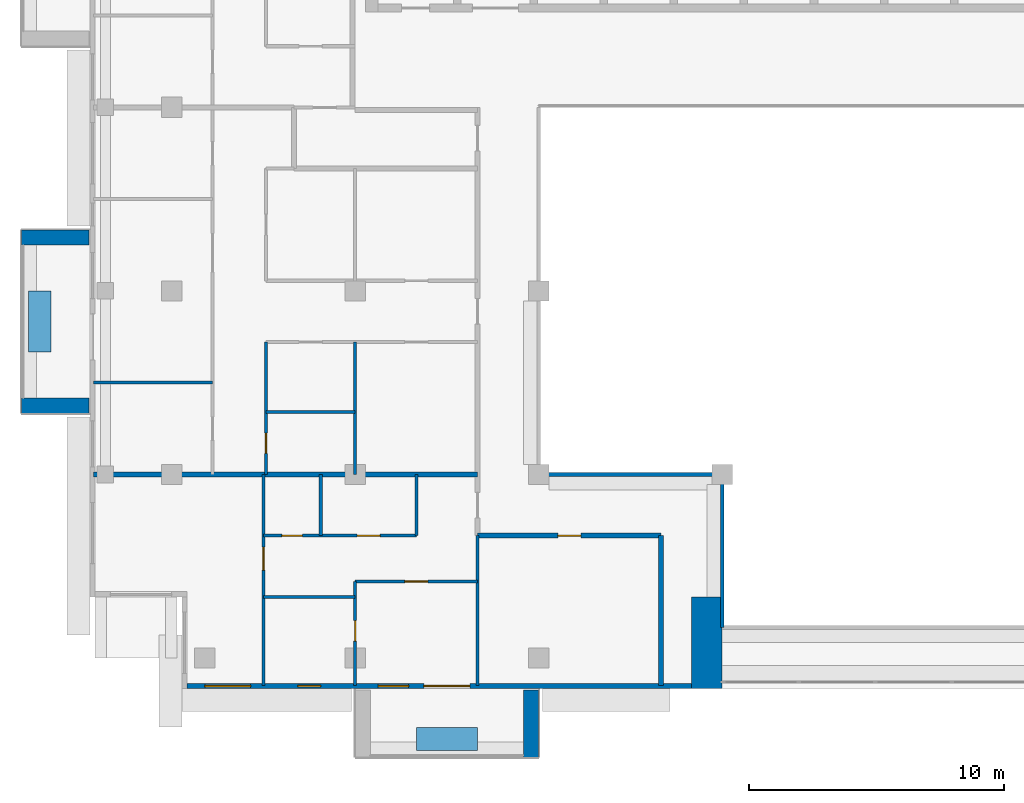
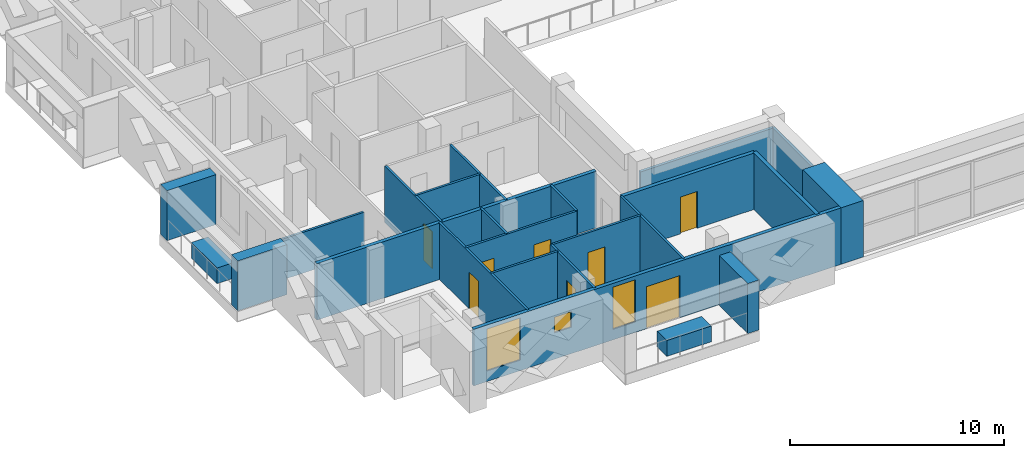
# One storey, part 6 of 19: 24 walls, 8 doors, 3 windows, 11 openings.
"""IFC4 building model written with IfcOpenShell, lengths in metres."""

from ifc_helpers import new_model, si_unit, direction, frame, frame_2d, origin, place, context, subcontext, project, spatial, rectangle, extrude, material, layer, layer_set, type_object, element, fill, save


model = new_model("IFC4")

# Units and contexts
model_context = context("Model", 3, precision=1e-05, world=origin(), true_north=direction((0.0, 1.0)))
body_context = subcontext(model_context, "Body", "Model", "MODEL_VIEW")
ifc_project = project(units=[si_unit("LENGTHUNIT", "METRE"), si_unit("AREAUNIT", "SQUARE_METRE"), si_unit("VOLUMEUNIT", "CUBIC_METRE"), si_unit("PLANEANGLEUNIT", "RADIAN"), si_unit("MASSUNIT", "GRAM", prefix="KILO")], contexts=[model_context])

# Site, building, storey
site_placement = place(None, origin())
site = spatial("IfcSite", under=ifc_project, at=site_placement, CompositionType="ELEMENT")
building_placement = place(site_placement, origin())
building = spatial("IfcBuilding", under=site, at=building_placement, Name="Saffron Iwan Residences", CompositionType="ELEMENT")
storey_placement = place(building_placement, frame((0.0, 0.0, 243.0)))
storey = spatial("IfcBuildingStorey", under=building, at=storey_placement, Name="L65", CompositionType="ELEMENT", Elevation=243.0)

# Walls
ifc_material_1 = material(Name="Fire-rated glazing", Category="glass")
ifc_layer_1 = layer(ifc_material_1, 0.14990234375)
ifc_layer_set_1 = layer_set([ifc_layer_1], Name="Fire-rated glazing")
wall_type_1 = type_object("IfcWallType", Name="Atrium glazed screen 150", PredefinedType="SOLIDWALL", material=ifc_layer_set_1)
wall_1_placement = place(storey_placement, frame((36.0, 48.0, 0.0), z_axis=(0.0, 0.0, 1.0), x_axis=(1.0, 0.0, 0.0)))
element("IfcWall", 1, at=wall_1_placement, inside=storey, type_object=wall_type_1, Name="W-L65-SCREEN-h48-36", PredefinedType="SOLIDWALL", context=body_context, shape_type="SweptSolid", body=[
    extrude(rectangle(XDim=7.199951171875, YDim=0.14990234375, at=frame_2d((3.60009765625, 0.0))), origin(), (0.0, 0.0, 1.0), 2.320068359375),
])
wall_2_placement = place(storey_placement, frame((43.199951171875, 42.0, 0.0), z_axis=(0.0, 0.0, 1.0), x_axis=(0.0, 1.0, 0.0)))
element("IfcWall", 2, at=wall_2_placement, inside=storey, type_object=wall_type_1, Name="W-L65-SCREEN-v43.2-42", PredefinedType="SOLIDWALL", context=body_context, shape_type="SweptSolid", body=[
    extrude(rectangle(XDim=6.0, YDim=0.14990234375, at=frame_2d((3.0, 0.0))), origin(), (0.0, 0.0, 1.0), 2.320068359375),
])
ifc_material_2 = material(Name="Concrete C50/60 white painted", Category="concrete")
ifc_layer_2 = layer(ifc_material_2, 0.60009765625)
ifc_layer_set_2 = layer_set([ifc_layer_2], Name="Concrete C50/60 white painted")
wall_type_2 = type_object("IfcWallType", Name="BALCONY FIN 600", PredefinedType="SOLIDWALL", material=ifc_layer_set_2)
for number, where, z_axis, x_axis, name in (
    (3, (18.35009765625, 57.300048828125, 0.0), (0.0, 0.0, 1.0), (-1.0, 0.0, 0.0), "Balcony fin L65 F8-1a"),
    (4, (18.35009765625, 50.699951171875, 0.0), (0.0, 0.0, 1.0), (-1.0, 0.0, 0.0), "Balcony fin L65 F8-1b"),
    (5, (35.699951171875, 39.550048828125, 0.0), (0.0, 0.0, 1.0), (0.0, -1.0, 0.0), "Balcony fin L65 11-0b"),
):
    element("IfcWall", number, at=place(storey_placement, frame(where, z_axis=z_axis, x_axis=x_axis)), inside=storey, type_object=wall_type_2, Name=name, PredefinedType="SOLIDWALL", context=body_context, shape_type="SweptSolid", body=[
        extrude(rectangle(XDim=2.650146484375, YDim=0.60009765625, at=frame_2d((1.3251953125, 0.0))), origin(), (0.0, 0.0, 1.0), 2.85009765625),
    ])
ifc_material_3 = material(Name="Concrete C35/45 white painted", Category="concrete")
ifc_layer_3 = layer(ifc_material_3, 0.14990234375)
ifc_layer_set_3 = layer_set([ifc_layer_3], Name="Concrete C35/45 white painted")
wall_type_3 = type_object("IfcWallType", Name="BALCONY PLANTER", PredefinedType="SOLIDWALL", material=ifc_layer_set_3)
wall_3_placement = place(storey_placement, frame((16.425048828125, 55.199951171875, 0.0), z_axis=(0.0, 0.0, 1.0), x_axis=(0.0, -1.0, 0.0)))
element("IfcWall", 6, at=wall_3_placement, inside=storey, type_object=wall_type_3, Name="PLANTER L65 F8-1", PredefinedType="SOLIDWALL", context=body_context, shape_type="SweptSolid", body=[
    extrude(rectangle(XDim=2.39990234375, YDim=0.89990234375, at=frame_2d((1.199951171875, 0.0))), origin(), (0.0, 0.0, 1.0), 0.89990234375),
])
wall_4_placement = place(storey_placement, frame((31.199951171875, 37.625, 0.0), z_axis=(0.0, 0.0, 1.0), x_axis=(1.0, 0.0, 0.0)))
element("IfcWall", 7, at=wall_4_placement, inside=storey, type_object=wall_type_3, Name="PLANTER L65 11-0", PredefinedType="SOLIDWALL", context=body_context, shape_type="SweptSolid", body=[
    extrude(rectangle(XDim=2.400146484375, YDim=0.89990234375, at=frame_2d((1.2001953125, 0.0))), origin(), (0.0, 0.0, 1.0), 0.89990234375),
])

# Wall, openings, door, windows
ifc_material_4 = material(Name="Concrete C40/50", Category="concrete")
ifc_layer_4 = layer(ifc_material_4, 0.199951171875)
ifc_layer_set_4 = layer_set([ifc_layer_4], Name="Concrete C40/50")
wall_type_4 = type_object("IfcWallType", Name="EXTERNAL WALL 200", PredefinedType="SOLIDWALL", material=ifc_layer_set_4)
wall_5_placement = place(storey_placement, frame((22.199951171875, 39.699951171875, 0.0), z_axis=(0.0, 0.0, 1.0), x_axis=(1.0, 0.0, 0.0)))
wall_5 = element("IfcWall", 8, at=wall_5_placement, inside=storey, type_object=wall_type_4, Name="External wall L65 F11.0", PredefinedType="SOLIDWALL", context=body_context, shape_type="SweptSolid", body=[
    extrude(rectangle(XDim=19.800048828125, YDim=0.199951171875, at=frame_2d((9.89990234375, 0.0))), origin(), (0.0, 0.0, 1.0), 3.219970703125),
])
opening_1_placement = place(wall_5_placement, frame((9.300048828125, 0.0, 0.0)))
opening_1 = element("IfcOpeningElement", 9, at=opening_1_placement, cuts=wall_5, Name="Opening BD1", PredefinedType="OPENING", context=body_context, shape_type="SweptSolid", body=[
    extrude(rectangle(XDim=1.800048828125, YDim=2.39990234375, at=frame_2d((0.89990234375, 1.199951171875))), frame((0.0, 0.10986328125, 0.0), z_axis=(0.0, -1.0, 0.0), x_axis=(1.0, 0.0, 0.0)), (0.0, 0.0, 1.0), 0.219970703125),
])
opening_2_placement = place(wall_5_placement, frame((0.699951171875, 0.0, 0.60009765625)))
opening_2 = element("IfcOpeningElement", 10, at=opening_2_placement, cuts=wall_5, Name="Opening W8", PredefinedType="OPENING", context=body_context, shape_type="SweptSolid", body=[
    extrude(rectangle(XDim=1.800048828125, YDim=2.39990234375, at=frame_2d((0.89990234375, 1.199951171875))), frame((0.0, 0.10986328125, 0.0), z_axis=(0.0, -1.0, 0.0), x_axis=(1.0, 0.0, 0.0)), (0.0, 0.0, 1.0), 0.219970703125),
])
opening_3_placement = place(wall_5_placement, frame((7.5, 0.0, 0.60009765625)))
opening_3 = element("IfcOpeningElement", 11, at=opening_3_placement, cuts=wall_5, Name="Opening W3", PredefinedType="OPENING", context=body_context, shape_type="SweptSolid", body=[
    extrude(rectangle(XDim=1.199951171875, YDim=2.39990234375, at=frame_2d((0.60009765625, 1.199951171875))), frame((0.0, 0.10986328125, 0.0), z_axis=(0.0, -1.0, 0.0), x_axis=(1.0, 0.0, 0.0)), (0.0, 0.0, 1.0), 0.219970703125),
])
opening_4_placement = place(wall_5_placement, frame((4.35009765625, 0.0, 1.5)))
opening_4 = element("IfcOpeningElement", 12, at=opening_4_placement, cuts=wall_5, Name="Opening W6", PredefinedType="OPENING", context=body_context, shape_type="SweptSolid", body=[
    extrude(rectangle(XDim=0.89990234375, YDim=0.89990234375, at=frame_2d((0.449951171875, 0.449951171875))), frame((0.0, 0.10986328125, 0.0), z_axis=(0.0, -1.0, 0.0), x_axis=(1.0, 0.0, 0.0)), (0.0, 0.0, 1.0), 0.219970703125),
])
ifc_material_5 = material(Name="Clear glass, laminated double glazed", Category="glass")
door_type_1 = type_object("IfcDoorType", Name="BALCONY DOOR 1800 x 2400", OperationType="DOUBLE_DOOR_SLIDING", PredefinedType="DOOR", material=ifc_material_5)
door_1_placement = place(opening_1_placement, origin())
door_1 = element("IfcDoor", 13, at=door_1_placement, inside=storey, type_object=door_type_1, Name="Balcony door L65 F11.0", OperationType="DOUBLE_DOOR_SLIDING", OverallHeight=2.39990234375, OverallWidth=1.800048828125, PredefinedType="DOOR", context=body_context, shape_type="SweptSolid", body=[
    extrude(rectangle(XDim=1.800048828125, YDim=2.39990234375, at=frame_2d((0.89990234375, 1.199951171875))), frame((0.0, 0.02490234375, 0.0), z_axis=(0.0, -1.0, 0.0), x_axis=(1.0, 0.0, 0.0)), (0.0, 0.0, 1.0), 0.050048828125),
])
fill(opening_1, door_1)
window_type_1 = type_object("IfcWindowType", Name="WINDOW 1200 x 2400", PartitioningType="SINGLE_PANEL", PredefinedType="WINDOW", material=ifc_material_5)
window_1_placement = place(opening_3_placement, origin())
window_1 = element("IfcWindow", 14, at=window_1_placement, inside=storey, type_object=window_type_1, Name="Window L65 F11.2", OverallHeight=2.39990234375, OverallWidth=1.199951171875, PartitioningType="SINGLE_PANEL", PredefinedType="WINDOW", context=body_context, shape_type="SweptSolid", body=[
    extrude(rectangle(XDim=1.199951171875, YDim=2.39990234375, at=frame_2d((0.60009765625, 1.199951171875))), frame((0.0, 0.030029296875, 0.0), z_axis=(0.0, -1.0, 0.0), x_axis=(1.0, 0.0, 0.0)), (0.0, 0.0, 1.0), 0.06005859375),
])
fill(opening_3, window_1)
window_type_2 = type_object("IfcWindowType", Name="WINDOW 1800 x 2400", PartitioningType="DOUBLE_PANEL_VERTICAL", PredefinedType="WINDOW", material=ifc_material_5)
window_2_placement = place(opening_2_placement, origin())
window_2 = element("IfcWindow", 15, at=window_2_placement, inside=storey, type_object=window_type_2, Name="Window L65 F11.1", OverallHeight=2.39990234375, OverallWidth=1.800048828125, PartitioningType="DOUBLE_PANEL_VERTICAL", PredefinedType="WINDOW", context=body_context, shape_type="SweptSolid", body=[
    extrude(rectangle(XDim=1.800048828125, YDim=2.39990234375, at=frame_2d((0.89990234375, 1.199951171875))), frame((0.0, 0.030029296875, 0.0), z_axis=(0.0, -1.0, 0.0), x_axis=(1.0, 0.0, 0.0)), (0.0, 0.0, 1.0), 0.06005859375),
])
fill(opening_2, window_2)
window_type_3 = type_object("IfcWindowType", Name="WINDOW 900 x 900 BATH", PartitioningType="SINGLE_PANEL", PredefinedType="WINDOW", material=ifc_material_5)
window_3_placement = place(opening_4_placement, origin())
window_3 = element("IfcWindow", 16, at=window_3_placement, inside=storey, type_object=window_type_3, Name="Window L65 F11.3", OverallHeight=0.89990234375, OverallWidth=0.89990234375, PartitioningType="SINGLE_PANEL", PredefinedType="WINDOW", context=body_context, shape_type="SweptSolid", body=[
    extrude(rectangle(XDim=0.89990234375, YDim=0.89990234375, at=frame_2d((0.449951171875, 0.449951171875))), frame((0.0, 0.030029296875, 0.0), z_axis=(0.0, -1.0, 0.0), x_axis=(1.0, 0.0, 0.0)), (0.0, 0.0, 1.0), 0.06005859375),
])
fill(opening_4, window_3)

# Walls
ifc_material_6 = material(Name="Fire-rated gypsum board wall")
ifc_layer_5 = layer(ifc_material_6, 0.199951171875)
ifc_layer_set_5 = layer_set([ifc_layer_5], Name="Fire-rated gypsum board wall")
wall_type_5 = type_object("IfcWallType", Name="Flat demising wall 200", PredefinedType="SOLIDWALL", material=ifc_layer_set_5)
wall_6_placement = place(storey_placement, frame((18.52490234375, 48.0, 0.0), z_axis=(0.0, 0.0, 1.0), x_axis=(1.0, 0.0, 0.0)))
element("IfcWall", 17, at=wall_6_placement, inside=storey, type_object=wall_type_5, Name="W-L65-DEMISE-h48-18.525", PredefinedType="SOLIDWALL", context=body_context, shape_type="SweptSolid", body=[
    extrude(rectangle(XDim=15.0751953125, YDim=0.199951171875, at=frame_2d((7.53759765625, 0.0))), origin(), (0.0, 0.0, 1.0), 3.219970703125),
])
ifc_material_7 = material(Name="Gypsum board partition")
ifc_layer_6 = layer(ifc_material_7, 0.1201171875)
ifc_layer_set_6 = layer_set([ifc_layer_6], Name="Gypsum board partition")
wall_type_6 = type_object("IfcWallType", Name="Flat partition 120", PredefinedType="PARTITIONING", material=ifc_layer_set_6)
wall_7_placement = place(storey_placement, frame((25.199951171875, 43.199951171875, 0.0), z_axis=(0.0, 0.0, 1.0), x_axis=(1.0, 0.0, 0.0)))
element("IfcWall", 18, at=wall_7_placement, inside=storey, type_object=wall_type_6, Name="W-L65-PART-h43.2-25.2", PredefinedType="PARTITIONING", context=body_context, shape_type="SweptSolid", body=[
    extrude(rectangle(XDim=3.60009765625, YDim=0.1201171875, at=frame_2d((1.800048828125, 0.0))), origin(), (0.0, 0.0, 1.0), 3.219970703125),
])

# Wall, opening, door
wall_8_placement = place(storey_placement, frame((28.800048828125, 43.800048828125, 0.0), z_axis=(0.0, 0.0, 1.0), x_axis=(1.0, 0.0, 0.0)))
wall_8 = element("IfcWall", 19, at=wall_8_placement, inside=storey, type_object=wall_type_6, Name="W-L65-PART-h43.8-28.8", PredefinedType="PARTITIONING", context=body_context, shape_type="SweptSolid", body=[
    extrude(rectangle(XDim=4.800048828125, YDim=0.1201171875, at=frame_2d((2.39990234375, 0.0))), origin(), (0.0, 0.0, 1.0), 3.219970703125),
])
opening_5_placement = place(wall_8_placement, frame((1.949951171875, 0.0, 0.0)))
opening_5 = element("IfcOpeningElement", 20, at=opening_5_placement, cuts=wall_8, Name="Opening FD2", PredefinedType="OPENING", context=body_context, shape_type="SweptSolid", body=[
    extrude(rectangle(XDim=0.89990234375, YDim=2.10009765625, at=frame_2d((0.449951171875, 1.050048828125))), frame((0.0, 0.070068359375, 0.0), z_axis=(0.0, -1.0, 0.0), x_axis=(1.0, 0.0, 0.0)), (0.0, 0.0, 1.0), 0.14013671875),
])
ifc_material_8 = material(Name="Timber door", Category="wood")
door_type_2 = type_object("IfcDoorType", Name="Flat door 900", OperationType="NOTDEFINED", PredefinedType="DOOR", material=ifc_material_8)
door_2_placement = place(opening_5_placement, origin())
door_2 = element("IfcDoor", 21, at=door_2_placement, inside=storey, type_object=door_type_2, Name="Door L65-003", OperationType="SINGLE_SWING_LEFT", OverallHeight=2.10009765625, OverallWidth=0.89990234375, PredefinedType="DOOR", context=body_context, shape_type="SweptSolid", body=[
    extrude(rectangle(XDim=0.89990234375, YDim=2.10009765625, at=frame_2d((0.449951171875, 1.050048828125))), frame((0.0, 0.02490234375, 0.0), z_axis=(0.0, -1.0, 0.0), x_axis=(1.0, 0.0, 0.0)), (0.0, 0.0, 1.0), 0.050048828125),
])
fill(opening_5, door_2)

# Wall, openings, doors
wall_9_placement = place(storey_placement, frame((25.199951171875, 45.60009765625, 0.0), z_axis=(0.0, 0.0, 1.0), x_axis=(1.0, 0.0, 0.0)))
wall_9 = element("IfcWall", 22, at=wall_9_placement, inside=storey, type_object=wall_type_6, Name="W-L65-PART-h45.6-25.2", PredefinedType="PARTITIONING", context=body_context, shape_type="SweptSolid", body=[
    extrude(rectangle(XDim=6.0, YDim=0.1201171875, at=frame_2d((3.0, 0.0))), origin(), (0.0, 0.0, 1.0), 3.219970703125),
])
opening_6_placement = place(wall_9_placement, frame((0.72509765625, 0.0, 0.0)))
opening_6 = element("IfcOpeningElement", 23, at=opening_6_placement, cuts=wall_9, Name="Opening FD3", PredefinedType="OPENING", context=body_context, shape_type="SweptSolid", body=[
    extrude(rectangle(XDim=0.800048828125, YDim=2.10009765625, at=frame_2d((0.39990234375, 1.050048828125))), frame((0.0, 0.070068359375, 0.0), z_axis=(0.0, -1.0, 0.0), x_axis=(1.0, 0.0, 0.0)), (0.0, 0.0, 1.0), 0.14013671875),
])
opening_7_placement = place(wall_9_placement, frame((3.675048828125, 0.0, 0.0)))
opening_7 = element("IfcOpeningElement", 24, at=opening_7_placement, cuts=wall_9, Name="Opening FD2", PredefinedType="OPENING", context=body_context, shape_type="SweptSolid", body=[
    extrude(rectangle(XDim=0.89990234375, YDim=2.10009765625, at=frame_2d((0.449951171875, 1.050048828125))), frame((0.0, 0.070068359375, 0.0), z_axis=(0.0, -1.0, 0.0), x_axis=(1.0, 0.0, 0.0)), (0.0, 0.0, 1.0), 0.14013671875),
])
door_type_3 = type_object("IfcDoorType", Name="Bathroom door 800", OperationType="NOTDEFINED", PredefinedType="DOOR", material=ifc_material_8)
door_3_placement = place(opening_6_placement, origin())
door_3 = element("IfcDoor", 25, at=door_3_placement, inside=storey, type_object=door_type_3, Name="Door L65-005", OperationType="SINGLE_SWING_RIGHT", OverallHeight=2.10009765625, OverallWidth=0.800048828125, PredefinedType="DOOR", context=body_context, shape_type="SweptSolid", body=[
    extrude(rectangle(XDim=0.800048828125, YDim=2.10009765625, at=frame_2d((0.39990234375, 1.050048828125))), frame((0.0, 0.02490234375, 0.0), z_axis=(0.0, -1.0, 0.0), x_axis=(1.0, 0.0, 0.0)), (0.0, 0.0, 1.0), 0.050048828125),
])
fill(opening_6, door_3)
door_4_placement = place(opening_7_placement, origin())
door_4 = element("IfcDoor", 26, at=door_4_placement, inside=storey, type_object=door_type_2, Name="Door L65-006", OperationType="SINGLE_SWING_LEFT", OverallHeight=2.10009765625, OverallWidth=0.89990234375, PredefinedType="DOOR", context=body_context, shape_type="SweptSolid", body=[
    extrude(rectangle(XDim=0.89990234375, YDim=2.10009765625, at=frame_2d((0.449951171875, 1.050048828125))), frame((0.0, 0.02490234375, 0.0), z_axis=(0.0, -1.0, 0.0), x_axis=(1.0, 0.0, 0.0)), (0.0, 0.0, 1.0), 0.050048828125),
])
fill(opening_7, door_4)

# Walls
wall_10_placement = place(storey_placement, frame((25.300048828125, 50.449951171875, 0.0), z_axis=(0.0, 0.0, 1.0), x_axis=(1.0, 0.0, 0.0)))
element("IfcWall", 27, at=wall_10_placement, inside=storey, type_object=wall_type_6, Name="W-L65-PART-h50.45-25.3", PredefinedType="PARTITIONING", context=body_context, shape_type="SweptSolid", body=[
    extrude(rectangle(XDim=3.5, YDim=0.1201171875, at=frame_2d((1.75, 0.0))), origin(), (0.0, 0.0, 1.0), 3.219970703125),
])
wall_11_placement = place(storey_placement, frame((18.52490234375, 51.60009765625, 0.0), z_axis=(0.0, 0.0, 1.0), x_axis=(1.0, 0.0, 0.0)))
element("IfcWall", 28, at=wall_11_placement, inside=storey, type_object=wall_type_6, Name="W-L65-PART-h51.6-18.525", PredefinedType="PARTITIONING", context=body_context, shape_type="SweptSolid", body=[
    extrude(rectangle(XDim=4.675048828125, YDim=0.1201171875, at=frame_2d((2.33740234375, 0.0))), origin(), (0.0, 0.0, 1.0), 2.320068359375),
])

# Wall, opening, door
wall_12_placement = place(storey_placement, frame((25.199951171875, 39.72509765625, 0.0), z_axis=(0.0, 0.0, 1.0), x_axis=(0.0, 1.0, 0.0)))
wall_12 = element("IfcWall", 29, at=wall_12_placement, inside=storey, type_object=wall_type_6, Name="W-L65-PART-v25.2-39.725", PredefinedType="PARTITIONING", context=body_context, shape_type="SweptSolid", body=[
    extrude(rectangle(XDim=8.27490234375, YDim=0.1201171875, at=frame_2d((4.137451171875, 0.0))), origin(), (0.0, 0.0, 1.0), 3.219970703125),
])
opening_8_placement = place(wall_12_placement, frame((4.52490234375, 0.0, 0.0)))
opening_8 = element("IfcOpeningElement", 30, at=opening_8_placement, cuts=wall_12, Name="Opening FD2", PredefinedType="OPENING", context=body_context, shape_type="SweptSolid", body=[
    extrude(rectangle(XDim=0.89990234375, YDim=2.10009765625, at=frame_2d((0.449951171875, 1.050048828125))), frame((0.0, 0.070068359375, 0.0), z_axis=(0.0, -1.0, 0.0), x_axis=(1.0, 0.0, 0.0)), (0.0, 0.0, 1.0), 0.14013671875),
])
door_5_placement = place(opening_8_placement, origin())
door_5 = element("IfcDoor", 31, at=door_5_placement, inside=storey, type_object=door_type_2, Name="Door L65-002", OperationType="SINGLE_SWING_RIGHT", OverallHeight=2.10009765625, OverallWidth=0.89990234375, PredefinedType="DOOR", context=body_context, shape_type="SweptSolid", body=[
    extrude(rectangle(XDim=0.89990234375, YDim=2.10009765625, at=frame_2d((0.449951171875, 1.050048828125))), frame((0.0, 0.02490234375, 0.0), z_axis=(0.0, -1.0, 0.0), x_axis=(1.0, 0.0, 0.0)), (0.0, 0.0, 1.0), 0.050048828125),
])
fill(opening_8, door_5)

wall_13_placement = place(storey_placement, frame((25.300048828125, 48.0, 0.0), z_axis=(0.0, 0.0, 1.0), x_axis=(0.0, 1.0, 0.0)))
wall_13 = element("IfcWall", 32, at=wall_13_placement, inside=storey, type_object=wall_type_6, Name="W-L65-PART-v25.3-48", PredefinedType="PARTITIONING", context=body_context, shape_type="SweptSolid", body=[
    extrude(rectangle(XDim=5.199951171875, YDim=0.1201171875, at=frame_2d((2.60009765625, 0.0))), origin(), (0.0, 0.0, 1.0), 3.219970703125),
])
opening_9_placement = place(wall_13_placement, frame((0.824951171875, 0.0, 0.0)))
opening_9 = element("IfcOpeningElement", 33, at=opening_9_placement, cuts=wall_13, Name="Opening FD3", PredefinedType="OPENING", context=body_context, shape_type="SweptSolid", body=[
    extrude(rectangle(XDim=0.800048828125, YDim=2.10009765625, at=frame_2d((0.39990234375, 1.050048828125))), frame((0.0, 0.070068359375, 0.0), z_axis=(0.0, -1.0, 0.0), x_axis=(1.0, 0.0, 0.0)), (0.0, 0.0, 1.0), 0.14013671875),
])
door_6_placement = place(opening_9_placement, origin())
door_6 = element("IfcDoor", 34, at=door_6_placement, inside=storey, type_object=door_type_3, Name="Door L65-012", OperationType="SINGLE_SWING_LEFT", OverallHeight=2.10009765625, OverallWidth=0.800048828125, PredefinedType="DOOR", context=body_context, shape_type="SweptSolid", body=[
    extrude(rectangle(XDim=0.800048828125, YDim=2.10009765625, at=frame_2d((0.39990234375, 1.050048828125))), frame((0.0, 0.02490234375, 0.0), z_axis=(0.0, -1.0, 0.0), x_axis=(1.0, 0.0, 0.0)), (0.0, 0.0, 1.0), 0.050048828125),
])
fill(opening_9, door_6)

# Wall
wall_14_placement = place(storey_placement, frame((27.449951171875, 45.60009765625, 0.0), z_axis=(0.0, 0.0, 1.0), x_axis=(0.0, 1.0, 0.0)))
element("IfcWall", 35, at=wall_14_placement, inside=storey, type_object=wall_type_6, Name="W-L65-PART-v27.45-45.6", PredefinedType="PARTITIONING", context=body_context, shape_type="SweptSolid", body=[
    extrude(rectangle(XDim=2.39990234375, YDim=0.1201171875, at=frame_2d((1.199951171875, 0.0))), origin(), (0.0, 0.0, 1.0), 3.219970703125),
])

# Wall, opening, door
wall_15_placement = place(storey_placement, frame((28.800048828125, 39.72509765625, 0.0), z_axis=(0.0, 0.0, 1.0), x_axis=(0.0, 1.0, 0.0)))
wall_15 = element("IfcWall", 36, at=wall_15_placement, inside=storey, type_object=wall_type_6, Name="W-L65-PART-v28.8-39.725", PredefinedType="PARTITIONING", context=body_context, shape_type="SweptSolid", body=[
    extrude(rectangle(XDim=4.074951171875, YDim=0.1201171875, at=frame_2d((2.03759765625, 0.0))), origin(), (0.0, 0.0, 1.0), 3.219970703125),
])
opening_10_placement = place(wall_15_placement, frame((1.737548828125, 0.0, 0.0)))
opening_10 = element("IfcOpeningElement", 37, at=opening_10_placement, cuts=wall_15, Name="Opening FD3", PredefinedType="OPENING", context=body_context, shape_type="SweptSolid", body=[
    extrude(rectangle(XDim=0.800048828125, YDim=2.10009765625, at=frame_2d((0.39990234375, 1.050048828125))), frame((0.0, 0.070068359375, 0.0), z_axis=(0.0, -1.0, 0.0), x_axis=(1.0, 0.0, 0.0)), (0.0, 0.0, 1.0), 0.14013671875),
])
door_7_placement = place(opening_10_placement, origin())
door_7 = element("IfcDoor", 38, at=door_7_placement, inside=storey, type_object=door_type_3, Name="Door L65-004", OperationType="SINGLE_SWING_RIGHT", OverallHeight=2.10009765625, OverallWidth=0.800048828125, PredefinedType="DOOR", context=body_context, shape_type="SweptSolid", body=[
    extrude(rectangle(XDim=0.800048828125, YDim=2.10009765625, at=frame_2d((0.39990234375, 1.050048828125))), frame((0.0, 0.02490234375, 0.0), z_axis=(0.0, -1.0, 0.0), x_axis=(1.0, 0.0, 0.0)), (0.0, 0.0, 1.0), 0.050048828125),
])
fill(opening_10, door_7)

# Walls
wall_16_placement = place(storey_placement, frame((28.800048828125, 48.0, 0.0), z_axis=(0.0, 0.0, 1.0), x_axis=(0.0, 1.0, 0.0)))
element("IfcWall", 39, at=wall_16_placement, inside=storey, type_object=wall_type_6, Name="W-L65-PART-v28.8-48", PredefinedType="PARTITIONING", context=body_context, shape_type="SweptSolid", body=[
    extrude(rectangle(XDim=5.199951171875, YDim=0.1201171875, at=frame_2d((2.60009765625, 0.0))), origin(), (0.0, 0.0, 1.0), 3.219970703125),
])
wall_17_placement = place(storey_placement, frame((31.199951171875, 45.60009765625, 0.0), z_axis=(0.0, 0.0, 1.0), x_axis=(0.0, 1.0, 0.0)))
element("IfcWall", 40, at=wall_17_placement, inside=storey, type_object=wall_type_6, Name="W-L65-PART-v31.2-45.6", PredefinedType="PARTITIONING", context=body_context, shape_type="SweptSolid", body=[
    extrude(rectangle(XDim=2.39990234375, YDim=0.1201171875, at=frame_2d((1.199951171875, 0.0))), origin(), (0.0, 0.0, 1.0), 3.219970703125),
])
wall_18_placement = place(storey_placement, frame((33.60009765625, 39.72509765625, 0.0), z_axis=(0.0, 0.0, 1.0), x_axis=(0.0, 1.0, 0.0)))
element("IfcWall", 41, at=wall_18_placement, inside=storey, type_object=wall_type_6, Name="W-L65-PART-v33.6-39.725", PredefinedType="PARTITIONING", context=body_context, shape_type="SweptSolid", body=[
    extrude(rectangle(XDim=5.875, YDim=0.1201171875, at=frame_2d((2.9375, 0.0))), origin(), (0.0, 0.0, 1.0), 3.219970703125),
])

# Wall, opening, door
ifc_layer_7 = layer(ifc_material_6, 0.199951171875)
ifc_layer_set_7 = layer_set([ifc_layer_7], Name="Fire-rated gypsum board wall")
wall_type_7 = type_object("IfcWallType", Name="Gallery wall 200", PredefinedType="SOLIDWALL", material=ifc_layer_set_7)
wall_19_placement = place(storey_placement, frame((33.60009765625, 45.60009765625, 0.0), z_axis=(0.0, 0.0, 1.0), x_axis=(1.0, 0.0, 0.0)))
wall_19 = element("IfcWall", 42, at=wall_19_placement, inside=storey, type_object=wall_type_7, Name="W-L65-CORR-h45.6-33.6", PredefinedType="SOLIDWALL", context=body_context, shape_type="SweptSolid", body=[
    extrude(rectangle(XDim=7.199951171875, YDim=0.199951171875, at=frame_2d((3.60009765625, 0.0))), origin(), (0.0, 0.0, 1.0), 3.219970703125),
])
opening_11_placement = place(wall_19_placement, frame((3.14990234375, 0.0, 0.0)))
opening_11 = element("IfcOpeningElement", 43, at=opening_11_placement, cuts=wall_19, Name="Opening FD2", PredefinedType="OPENING", context=body_context, shape_type="SweptSolid", body=[
    extrude(rectangle(XDim=0.89990234375, YDim=2.10009765625, at=frame_2d((0.449951171875, 1.050048828125))), frame((0.0, 0.10986328125, 0.0), z_axis=(0.0, -1.0, 0.0), x_axis=(1.0, 0.0, 0.0)), (0.0, 0.0, 1.0), 0.219970703125),
])
door_8_placement = place(opening_11_placement, origin())
door_8 = element("IfcDoor", 44, at=door_8_placement, inside=storey, type_object=door_type_2, Name="Door L65-007", OperationType="SINGLE_SWING_LEFT", OverallHeight=2.10009765625, OverallWidth=0.89990234375, PredefinedType="DOOR", context=body_context, shape_type="SweptSolid", body=[
    extrude(rectangle(XDim=0.89990234375, YDim=2.10009765625, at=frame_2d((0.449951171875, 1.050048828125))), frame((0.0, 0.02490234375, 0.0), z_axis=(0.0, -1.0, 0.0), x_axis=(1.0, 0.0, 0.0)), (0.0, 0.0, 1.0), 0.050048828125),
])
fill(opening_11, door_8)

# Walls
wall_20_placement = place(storey_placement, frame((40.800048828125, 39.72509765625, 0.0), z_axis=(0.0, 0.0, 1.0), x_axis=(0.0, 1.0, 0.0)))
element("IfcWall", 45, at=wall_20_placement, inside=storey, type_object=wall_type_7, Name="W-L65-CORR-v40.8-39.725", PredefinedType="SOLIDWALL", context=body_context, shape_type="SweptSolid", body=[
    extrude(rectangle(XDim=5.875, YDim=0.199951171875, at=frame_2d((2.9375, 0.0))), origin(), (0.0, 0.0, 1.0), 3.219970703125),
])
ifc_layer_8 = layer(ifc_material_4, 1.199951171875)
ifc_layer_set_8 = layer_set([ifc_layer_8], Name="Concrete C40/50")
wall_type_8 = type_object("IfcWallType", Name="WALL IWAN PIER 1200 C40/50 3220 HIGH", PredefinedType="SHEAR", material=ifc_layer_set_8)
wall_21_placement = place(storey_placement, frame((42.60009765625, 39.60009765625, 0.0), z_axis=(0.0, 0.0, 1.0), x_axis=(0.0, 1.0, 0.0)))
element("IfcWall", 46, at=wall_21_placement, inside=storey, type_object=wall_type_8, Name="IWAN PIER", PredefinedType="SHEAR", context=body_context, shape_type="SweptSolid", body=[
    extrude(rectangle(XDim=3.599853515625, YDim=1.199951171875, at=frame_2d((1.7998046875, 0.0))), origin(), (0.0, 0.0, 1.0), 3.219970703125),
])

save(model, "model.ifc")
